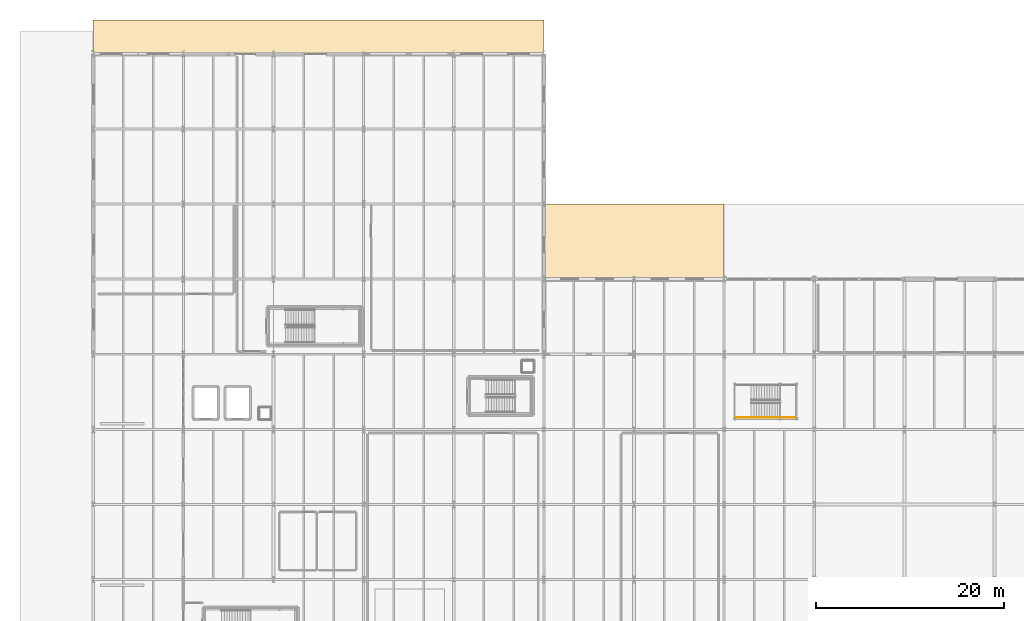
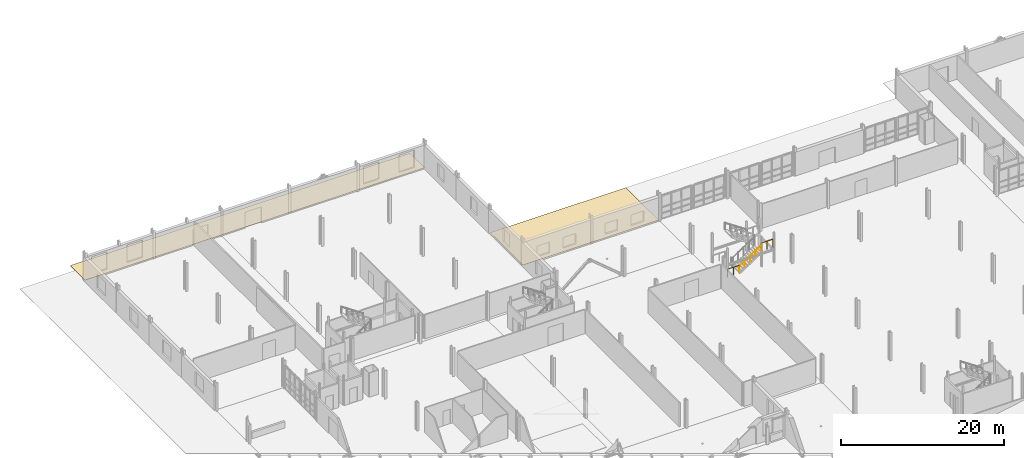
# One storey, part 72 of 78: 3 railings, 2 coverings.
"""IFC4 building model written with IfcOpenShell, lengths in metres."""

from ifc_helpers import new_model, si_unit, direction, frame, origin, origin_2d, place, context, subcontext, project, spatial, polyline, circle, outline, extrude, material, layer, layer_set, type_object, element, save


model = new_model("IFC4")

# Units and contexts
model_context = context("Model", 3, precision=1e-05, world=origin(), true_north=direction((0.0, 1.0)))
body_context = subcontext(model_context, "Body", "Model", "MODEL_VIEW")
ifc_project = project(units=[si_unit("LENGTHUNIT", "METRE"), si_unit("AREAUNIT", "SQUARE_METRE"), si_unit("VOLUMEUNIT", "CUBIC_METRE"), si_unit("PLANEANGLEUNIT", "RADIAN"), si_unit("MASSUNIT", "GRAM", prefix="KILO")], contexts=[model_context])

# Site, building, storey
site_placement = place(None, origin())
site = spatial("IfcSite", under=ifc_project, at=site_placement, CompositionType="ELEMENT")
building_placement = place(site_placement, origin())
building = spatial("IfcBuilding", under=site, at=building_placement, Name="Alderhovde Museum", CompositionType="ELEMENT")
storey_placement = place(building_placement, origin())
storey = spatial("IfcBuildingStorey", under=building, at=storey_placement, Name="L00", CompositionType="ELEMENT", Elevation=0.0)

# Coverings
ifc_material_1 = material(Name="Bush-Hammered Nordic Granite Forecourt Paving", Category="masonry")
ifc_layer = layer(ifc_material_1, 0.06005859375)
ifc_layer_set = layer_set([ifc_layer], Name="Bush-Hammered Nordic Granite Forecourt Paving")
covering_type = type_object("IfcCoveringType", Name="COV-EXT-GRANITE", PredefinedType="FLOORING", material=ifc_layer_set)
covering_1_placement = place(storey_placement, frame((0.0, 0.0, -0.06005859375)))
element("IfcCovering", 1, at=covering_1_placement, inside=storey, type_object=covering_type, Name="North Wing Street Granite Promenade", PredefinedType="FLOORING", context=body_context, shape_type="SweptSolid", body=[
    extrude(outline(polyline([(9.60009765625, 112.0), (57.60009765625, 112.0), (57.60009765625, 115.60009765625), (9.60009765625, 115.60009765625), (9.60009765625, 112.0)])), origin(), (0.0, 0.0, 1.0), 0.06005859375),
])
covering_2_placement = place(storey_placement, frame((0.0, 0.0, -0.06005859375)))
element("IfcCovering", 2, at=covering_2_placement, inside=storey, type_object=covering_type, Name="North Garden Granite Court", PredefinedType="FLOORING", context=body_context, shape_type="SweptSolid", body=[
    extrude(outline(polyline([(57.60009765625, 88.0), (76.800048828125, 88.0), (76.800048828125, 96.0), (57.60009765625, 96.0), (57.60009765625, 88.0)])), origin(), (0.0, 0.0, 1.0), 0.06005859375),
])

# Railings
ifc_material_2 = material(Name="Painted Steel S355 Guardrail", Category="steel")
railing_type_1 = type_object("IfcRailingType", Name="RL-GUARD-1200", PredefinedType="GUARDRAIL", material=ifc_material_2)
for number, where, name in (
    (3, (82.760009765625, 73.25, 2.25), "L00 ST5 stair guard 3"),
    (4, (78.0, 73.25, 0.0), "L00 ST5 stair guard 7"),
):
    element("IfcRailing", number, at=place(storey_placement, frame(where)), inside=storey, type_object=railing_type_1, Name=name, PredefinedType="GUARDRAIL", context=body_context, shape_type="SweptSolid", body=[
        extrude(circle(Radius=0.02392578125, at=origin_2d()), frame((0.0, 0.0, 1.17578125), z_axis=(1.0, 0.0, 0.0), x_axis=(0.0, 1.0, 0.0)), (0.0, 0.0, 1.0), 1.679931640625),
        extrude(circle(Radius=0.02099609375, at=origin_2d()), origin(), (0.0, 0.0, 1.0), 1.15185546875),
        extrude(circle(Radius=0.02099609375, at=origin_2d()), frame((0.83984375, 0.0, 0.0)), (0.0, 0.0, 1.0), 1.15185546875),
        extrude(circle(Radius=0.02099609375, at=origin_2d()), frame((1.679931640625, 0.0, 0.0)), (0.0, 0.0, 1.0), 1.15185546875),
    ])
ifc_material_3 = material(Name="Brushed Stainless Steel Handrail", Category="steel")
railing_type_2 = type_object("IfcRailingType", Name="RL-HANDRAIL-900", PredefinedType="HANDRAIL", material=ifc_material_3)
railing_placement = place(storey_placement, frame((79.679931640625, 73.25, 0.1875)))
element("IfcRailing", 5, at=railing_placement, inside=storey, type_object=railing_type_2, Name="L00 ST5 stair handrail 1", PredefinedType="HANDRAIL", context=body_context, shape_type="SweptSolid", body=[
    extrude(circle(Radius=0.02392578125, at=origin_2d()), frame((0.0, 0.0, 0.8759765625), z_axis=(0.830913701846, 0.0, 0.55640131208), x_axis=(0.0, 1.0, 0.0)), (0.0, 0.0, 1.0), 3.706787109375),
    extrude(circle(Radius=0.02099609375, at=origin_2d()), origin(), (0.0, 0.0, 1.0), 0.851806640625),
    extrude(circle(Radius=0.02099609375, at=origin_2d()), frame((0.77001953125, 0.0, 0.515625)), (0.0, 0.0, 1.0), 0.851806640625),
    extrude(circle(Radius=0.02099609375, at=origin_2d()), frame((1.5400390625, 0.0, 1.03125)), (0.0, 0.0, 1.0), 0.851806640625),
    extrude(circle(Radius=0.02099609375, at=origin_2d()), frame((2.31005859375, 0.0, 1.546875)), (0.0, 0.0, 1.0), 0.851806640625),
    extrude(circle(Radius=0.02099609375, at=origin_2d()), frame((3.080078125, 0.0, 2.0625)), (0.0, 0.0, 1.0), 0.851806640625),
])

save(model, "model.ifc")
